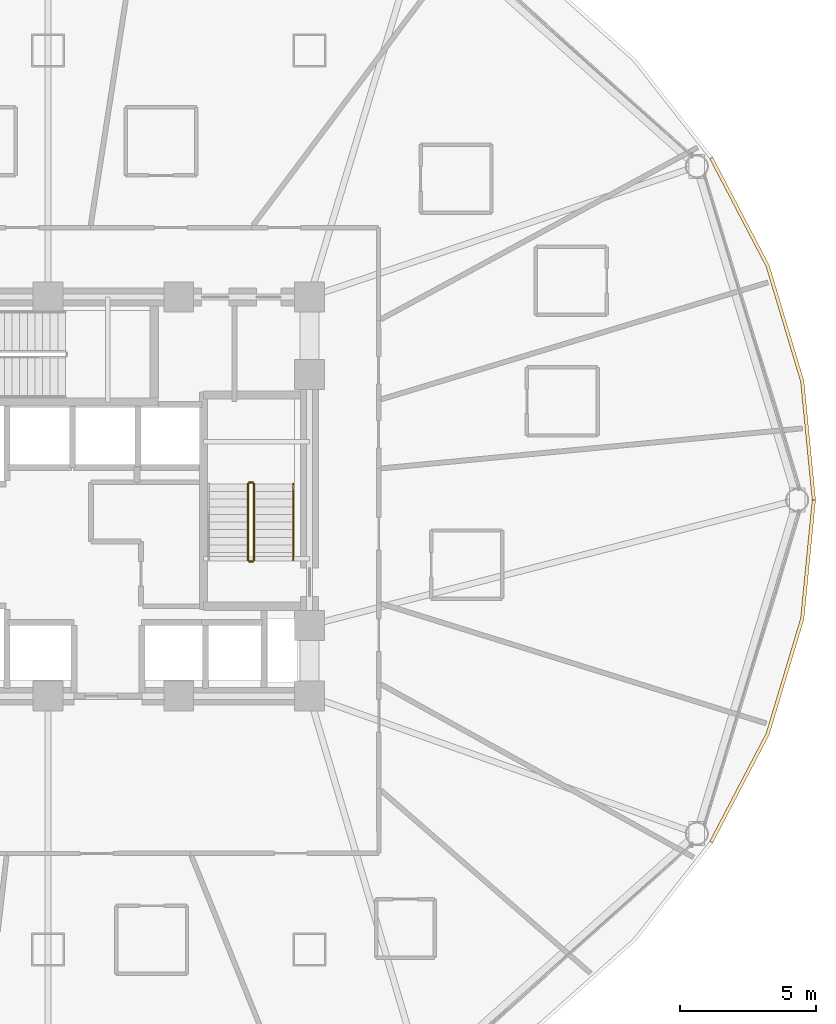
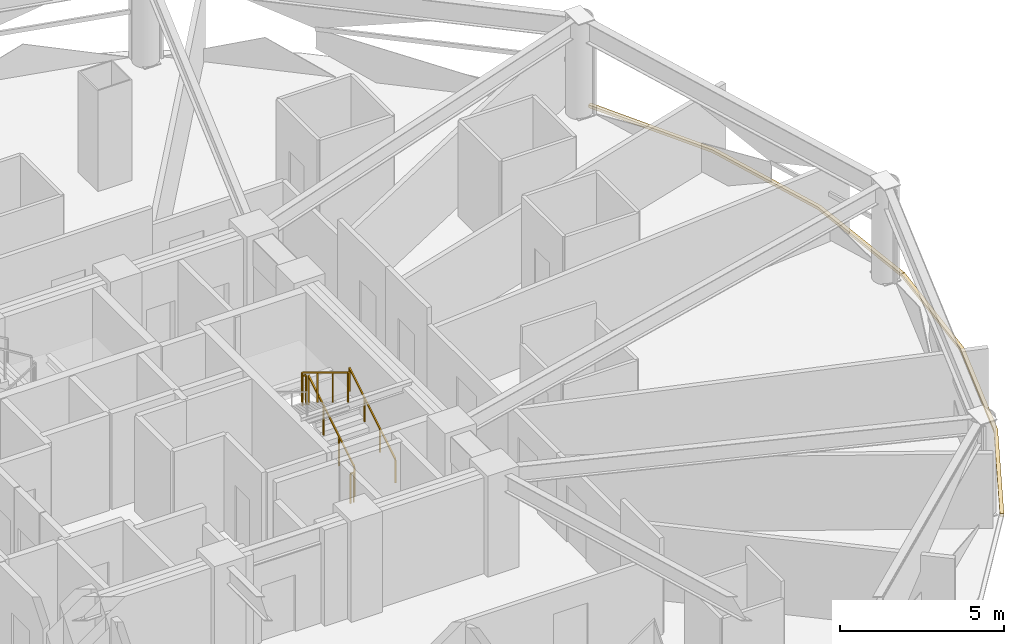
# One storey, part 29 of 30: 5 railings, 2 coverings.
"""IFC4 building model written with IfcOpenShell, lengths in metres."""

from ifc_helpers import new_model, si_unit, direction, frame, origin, origin_2d, place, context, subcontext, project, spatial, polyline, rectangle, outline, extrude, material, layer, layer_set, type_object, element, save


model = new_model("IFC4")

# Units and contexts
model_context = context("Model", 3, precision=1e-05, world=origin(), true_north=direction((0.0, 1.0)))
body_context = subcontext(model_context, "Body", "Model", "MODEL_VIEW")
ifc_project = project(units=[si_unit("LENGTHUNIT", "METRE"), si_unit("AREAUNIT", "SQUARE_METRE"), si_unit("VOLUMEUNIT", "CUBIC_METRE"), si_unit("PLANEANGLEUNIT", "RADIAN"), si_unit("MASSUNIT", "GRAM", prefix="KILO")], contexts=[model_context])

# Site, building, storey
site_placement = place(None, origin())
site = spatial("IfcSite", under=ifc_project, at=site_placement, CompositionType="ELEMENT")
building_placement = place(site_placement, origin())
building = spatial("IfcBuilding", under=site, at=building_placement, Name="Vantalir Tower", CompositionType="ELEMENT")
storey_placement = place(building_placement, frame((0.0, 0.0, 83.25)))
storey = spatial("IfcBuildingStorey", under=building, at=storey_placement, Name="L20", CompositionType="ELEMENT", Elevation=83.25)

# Coverings
ifc_material_1 = material(Name="Anodised champagne aluminium sill fascia", Category="aluminium")
ifc_layer = layer(ifc_material_1, 0.125)
ifc_layer_set = layer_set([ifc_layer], Name="Anodised champagne aluminium sill fascia")
covering_type = type_object("IfcCoveringType", Name="COV-SLAB-FASCIA-125", PredefinedType="CLADDING", material=ifc_layer_set)
covering_1_placement = place(storey_placement, frame((0.0, 0.0, -0.179931640625)))
element("IfcCovering", 1, at=covering_1_placement, inside=storey, type_object=covering_type, Name="L20 Perimeter Slab-Edge Sill Fascia 01", PredefinedType="CLADDING", context=body_context, shape_type="SweptSolid", body=[
    extrude(outline(polyline([(59.675048828125, 25.0), (59.2470703125, 29.37109375), (57.97607421875, 33.60888671875), (55.89990234375, 37.5849609375), (55.7919921875, 37.52197265625), (57.85791015625, 33.56591796875), (59.1240234375, 29.34912109375), (59.550048828125, 25.0), (59.675048828125, 25.0)])), origin(), (0.0, 0.0, 1.0), 0.10498046875),
])
covering_2_placement = place(storey_placement, frame((0.0, 0.0, -0.179931640625)))
element("IfcCovering", 2, at=covering_2_placement, inside=storey, type_object=covering_type, Name="L20 Perimeter Slab-Edge Sill Fascia 12", PredefinedType="CLADDING", context=body_context, shape_type="SweptSolid", body=[
    extrude(outline(polyline([(55.89990234375, 12.4150390625), (57.97607421875, 16.39111328125), (59.2470703125, 20.62890625), (59.675048828125, 25.0), (59.550048828125, 25.0), (59.1240234375, 20.65087890625), (57.85791015625, 16.43408203125), (55.7919921875, 12.47705078125), (55.89990234375, 12.4150390625)])), origin(), (0.0, 0.0, 1.0), 0.10498046875),
])

# Railings
ifc_material_2 = material(Name="Anodised aluminium and stainless steel guard", Category="steel")
railing_type_1 = type_object("IfcRailingType", Name="RAL-GUARD-1120", PredefinedType="GUARDRAIL", material=ifc_material_2)
railing_1_placement = place(storey_placement, frame((39.06005859375, 22.7900390625, 0.17041015625)))
element("IfcRailing", 3, at=railing_1_placement, inside=storey, type_object=railing_type_1, Name="L20 ST2 stair guard 1", PredefinedType="GUARDRAIL", context=body_context, shape_type="SweptSolid", body=[
    extrude(rectangle(XDim=0.048095703125, YDim=0.048095703125, at=origin_2d()), frame((0.0, 0.0, 1.09619140625), z_axis=(0.0, 0.854169791009, 0.51999420009), x_axis=(-1.0, 0.0, 0.0)), (0.0, 0.0, 1.0), 3.278076171875),
    extrude(rectangle(XDim=0.0419921875, YDim=0.0419921875, at=origin_2d()), origin(), (0.0, 0.0, 1.0), 1.072021484375),
    extrude(rectangle(XDim=0.0419921875, YDim=0.0419921875, at=origin_2d()), frame((0.0, 0.933349609375, 0.568115234375)), (0.0, 0.0, 1.0), 1.072021484375),
    extrude(rectangle(XDim=0.0419921875, YDim=0.0419921875, at=origin_2d()), frame((0.0, 1.86669921875, 1.136474609375)), (0.0, 0.0, 1.0), 1.072021484375),
    extrude(rectangle(XDim=0.0419921875, YDim=0.0419921875, at=origin_2d()), frame((0.0, 2.800048828125, 1.70458984375)), (0.0, 0.0, 1.0), 1.072021484375),
])
railing_2_placement = place(storey_placement, frame((39.010009765625, 25.639892578125, 1.875)))
element("IfcRailing", 4, at=railing_2_placement, inside=storey, type_object=railing_type_1, Name="L20 ST2 stair guard 2", PredefinedType="GUARDRAIL", context=body_context, shape_type="SweptSolid", body=[
    extrude(rectangle(XDim=0.048095703125, YDim=0.048095703125, at=origin_2d()), frame((0.0, 0.0, 1.09619140625), z_axis=(-1.0, 0.0, 0.0), x_axis=(0.0, -1.0, 0.0)), (0.0, 0.0, 1.0), 0.1201171875),
    extrude(rectangle(XDim=0.0419921875, YDim=0.0419921875, at=origin_2d()), origin(), (0.0, 0.0, 1.0), 1.072021484375),
    extrude(rectangle(XDim=0.0419921875, YDim=0.0419921875, at=origin_2d()), frame((-0.1201171875, 0.0, 0.0)), (0.0, 0.0, 1.0), 1.072021484375),
])
railing_3_placement = place(storey_placement, frame((38.840087890625, 25.590087890625, 2.04541015625)))
element("IfcRailing", 5, at=railing_3_placement, inside=storey, type_object=railing_type_1, Name="L20 ST2 stair guard 3", PredefinedType="GUARDRAIL", context=body_context, shape_type="SweptSolid", body=[
    extrude(rectangle(XDim=0.048095703125, YDim=0.048095703125, at=origin_2d()), frame((0.0, 0.0, 1.09619140625), z_axis=(0.0, -0.854169791009, 0.51999420009), x_axis=(1.0, 0.0, 0.0)), (0.0, 0.0, 1.0), 3.278076171875),
    extrude(rectangle(XDim=0.0419921875, YDim=0.0419921875, at=origin_2d()), origin(), (0.0, 0.0, 1.0), 1.072021484375),
    extrude(rectangle(XDim=0.0419921875, YDim=0.0419921875, at=origin_2d()), frame((0.0, -0.933349609375, 0.568115234375)), (0.0, 0.0, 1.0), 1.072021484375),
    extrude(rectangle(XDim=0.0419921875, YDim=0.0419921875, at=origin_2d()), frame((0.0, -1.86669921875, 1.136474609375)), (0.0, 0.0, 1.0), 1.072021484375),
    extrude(rectangle(XDim=0.0419921875, YDim=0.0419921875, at=origin_2d()), frame((0.0, -2.800048828125, 1.70458984375)), (0.0, 0.0, 1.0), 1.072021484375),
])
railing_4_placement = place(storey_placement, frame((39.010009765625, 22.739990234375, 0.0)))
element("IfcRailing", 6, at=railing_4_placement, inside=storey, type_object=railing_type_1, Name="L20 ST2 stair guard 4", PredefinedType="GUARDRAIL", context=body_context, shape_type="SweptSolid", body=[
    extrude(rectangle(XDim=0.048095703125, YDim=0.048095703125, at=origin_2d()), frame((0.0, 0.0, 1.09619140625), z_axis=(-1.0, 0.0, 0.0), x_axis=(0.0, -1.0, 0.0)), (0.0, 0.0, 1.0), 0.1201171875),
    extrude(rectangle(XDim=0.0419921875, YDim=0.0419921875, at=origin_2d()), origin(), (0.0, 0.0, 1.0), 1.072021484375),
    extrude(rectangle(XDim=0.0419921875, YDim=0.0419921875, at=origin_2d()), frame((-0.1201171875, 0.0, 0.0)), (0.0, 0.0, 1.0), 1.072021484375),
])
ifc_material_3 = material(Name="Brushed stainless steel tubular handrail", Category="steel")
railing_type_2 = type_object("IfcRailingType", Name="RAL-HANDRAIL-900", PredefinedType="HANDRAIL", material=ifc_material_3)
railing_5_placement = place(storey_placement, frame((40.5, 22.7900390625, 0.17041015625)))
element("IfcRailing", 7, at=railing_5_placement, inside=storey, type_object=railing_type_2, Name="L20 ST2 stair handrail 1", PredefinedType="HANDRAIL", context=body_context, shape_type="SweptSolid", body=[
    extrude(rectangle(XDim=0.048095703125, YDim=0.048095703125, at=origin_2d()), frame((0.0, 0.0, 0.8759765625), z_axis=(0.0, 0.854169791009, 0.51999420009), x_axis=(-1.0, 0.0, 0.0)), (0.0, 0.0, 1.0), 3.278076171875),
    extrude(rectangle(XDim=0.0419921875, YDim=0.0419921875, at=origin_2d()), origin(), (0.0, 0.0, 1.0), 0.851806640625),
    extrude(rectangle(XDim=0.0419921875, YDim=0.0419921875, at=origin_2d()), frame((0.0, 0.933349609375, 0.568115234375)), (0.0, 0.0, 1.0), 0.851806640625),
    extrude(rectangle(XDim=0.0419921875, YDim=0.0419921875, at=origin_2d()), frame((0.0, 1.86669921875, 1.136474609375)), (0.0, 0.0, 1.0), 0.851806640625),
    extrude(rectangle(XDim=0.0419921875, YDim=0.0419921875, at=origin_2d()), frame((0.0, 2.800048828125, 1.70458984375)), (0.0, 0.0, 1.0), 0.851806640625),
])

save(model, "model.ifc")
